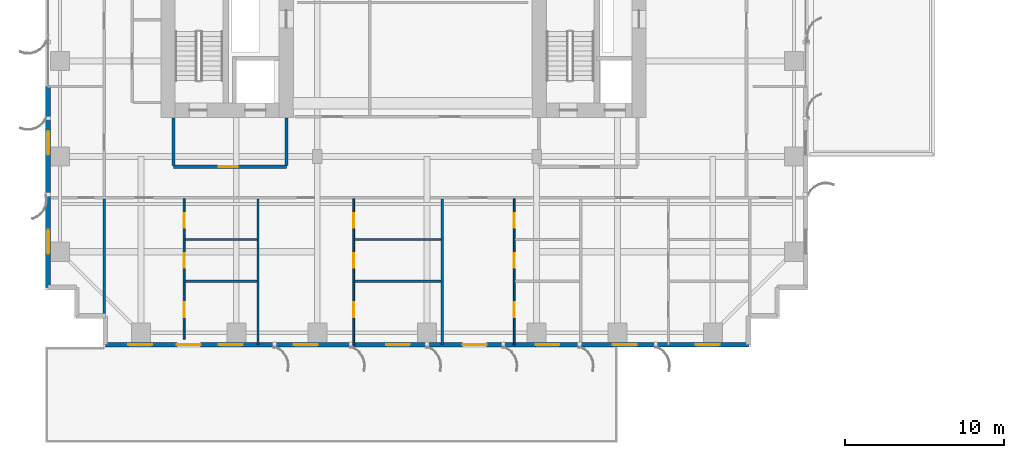
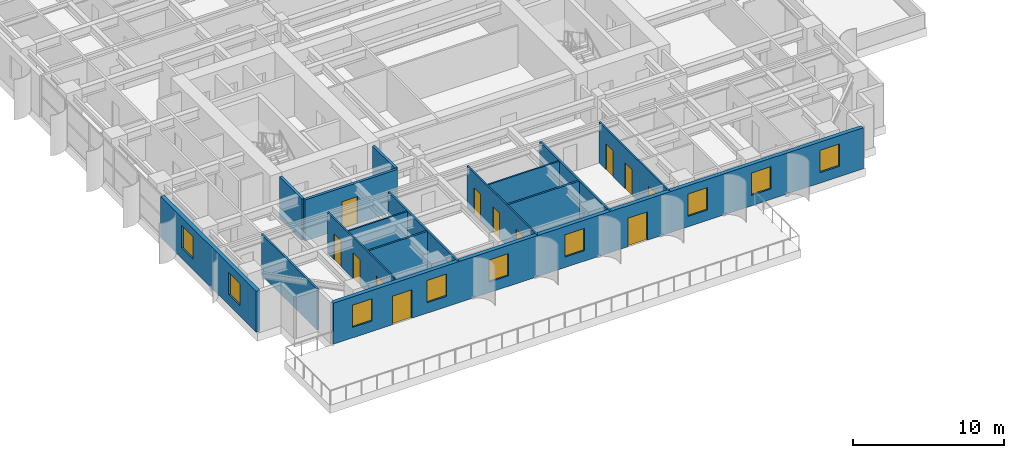
# One storey, part 11 of 21: 15 walls, 12 doors, 9 windows, 21 openings.
"""IFC4 building model written with IfcOpenShell, lengths in metres."""

from ifc_helpers import new_model, si_unit, direction, frame, frame_2d, origin, place, context, subcontext, project, spatial, rectangle, extrude, source, transform, mapped, material, layer, layer_set, type_object, element, fill, save


model = new_model("IFC4")

# Units and contexts
model_context = context("Model", 3, precision=1e-05, world=origin(), true_north=direction((0.0, 1.0)))
body_context = subcontext(model_context, "Body", "Model", "MODEL_VIEW")
ifc_project = project(units=[si_unit("LENGTHUNIT", "METRE"), si_unit("AREAUNIT", "SQUARE_METRE"), si_unit("VOLUMEUNIT", "CUBIC_METRE"), si_unit("PLANEANGLEUNIT", "RADIAN"), si_unit("MASSUNIT", "GRAM", prefix="KILO")], contexts=[model_context])

# Site, building, storey
site_placement = place(None, origin())
site = spatial("IfcSite", under=ifc_project, at=site_placement, CompositionType="ELEMENT")
building_placement = place(site_placement, origin())
building = spatial("IfcBuilding", under=site, at=building_placement, Name="Khoralis Quay Care Tower", CompositionType="ELEMENT")
storey_placement = place(building_placement, frame((0.0, 0.0, 22.5)))
storey = spatial("IfcBuildingStorey", under=building, at=storey_placement, Name="L05", CompositionType="ELEMENT", Elevation=22.5)

# Wall, opening, door
ifc_material_1 = material(Name="Gypsum plasterboard on acoustic metal stud")
ifc_layer_1 = layer(ifc_material_1, 0.199951171875)
ifc_layer_set_1 = layer_set([ifc_layer_1], Name="Gypsum plasterboard on acoustic metal stud")
wall_type_1 = type_object("IfcWallType", Name="WL-COMP-200", PredefinedType="PARTITIONING", material=ifc_layer_set_1)
wall_1_placement = place(storey_placement, frame((8.050048828125, 11.35009765625, 0.0), z_axis=(0.0, 0.0, 1.0), x_axis=(1.0, 0.0, 0.0)))
wall_1 = element("IfcWall", 1, at=wall_1_placement, inside=storey, type_object=wall_type_1, Name="L05 West Firefighting Lobby South Wall", PredefinedType="PARTITIONING", context=body_context, shape_type="SweptSolid", body=[
    extrude(rectangle(XDim=7.099853515625, YDim=0.199951171875, at=frame_2d((3.5498046875, 0.0))), origin(), (0.0, 0.0, 1.0), 3.320068359375),
])
opening_1_placement = place(wall_1_placement, frame((2.846435546875, 0.0, 0.0)))
opening_1 = element("IfcOpeningElement", 2, at=opening_1_placement, cuts=wall_1, Name="Opening FD1", PredefinedType="OPENING", context=body_context, shape_type="SweptSolid", body=[
    extrude(rectangle(XDim=1.199951171875, YDim=2.199951171875, at=frame_2d((0.60009765625, 1.10009765625))), frame((0.0, 0.10986328125, 0.0), z_axis=(0.0, -1.0, 0.0), x_axis=(1.0, 0.0, 0.0)), (0.0, 0.0, 1.0), 0.219970703125),
])
ifc_material_2 = material(Name="Fire-rated painted steel", Category="steel")
door_type_1 = type_object("IfcDoorType", Name="DR-FFL-1200X2200", OperationType="NOTDEFINED", PredefinedType="DOOR", material=ifc_material_2)
shared_shape_1 = source(origin(), body_context, "Body", "SweptSolid", [
    extrude(rectangle(XDim=1.199951171875, YDim=2.199951171875, at=frame_2d((0.60009765625, 1.10009765625))), frame((0.0, 0.02490234375, 0.0), z_axis=(0.0, -1.0, 0.0), x_axis=(1.0, 0.0, 0.0)), (0.0, 0.0, 1.0), 0.050048828125),
])
door_1_placement = place(opening_1_placement, origin())
door_1 = element("IfcDoor", 3, at=door_1_placement, inside=storey, type_object=door_type_1, Name="L05 West Firefighting Lobby Fire Door", OperationType="SINGLE_SWING_LEFT", OverallHeight=2.199951171875, OverallWidth=1.199951171875, PredefinedType="DOOR", context=body_context, shape_type="MappedRepresentation", body=[
    mapped(shared_shape_1, transform((0.0, 0.0, 0.0), scale=1.0)),
])
fill(opening_1, door_1)

# Walls
for number, where, z_axis, x_axis, name in (
    (4, (8.050048828125, 11.445068359375, 0.0), (0.0, 0.0, 1.0), (0.0, 1.0, 0.0), "L05 West Firefighting Lobby West Wall"),
    (5, (15.14990234375, 11.445068359375, 0.0), (0.0, 0.0, 1.0), (0.0, 1.0, 0.0), "L05 West Firefighting Lobby East Wall"),
):
    element("IfcWall", number, at=place(storey_placement, frame(where, z_axis=z_axis, x_axis=x_axis)), inside=storey, type_object=wall_type_1, Name=name, PredefinedType="PARTITIONING", context=body_context, shape_type="SweptSolid", body=[
        extrude(rectangle(XDim=2.98486328125, YDim=0.199951171875, at=frame_2d((1.492431640625, 0.0))), origin(), (0.0, 0.0, 1.0), 3.320068359375),
    ])

# Wall, openings, doors, windows
ifc_material_3 = material(Name="Precast concrete C45/55", Category="concrete")
ifc_layer_2 = layer(ifc_material_3, 0.300048828125)
ifc_layer_set_2 = layer_set([ifc_layer_2], Name="Precast concrete C45/55")
wall_type_2 = type_object("IfcWallType", Name="WL-EXT-REF-300", PredefinedType="SOLIDWALL", material=ifc_layer_set_2)
wall_2_placement = place(storey_placement, frame((3.75, 0.14990234375, 0.0), z_axis=(0.0, 0.0, 1.0), x_axis=(1.0, 0.0, 0.0)))
wall_2 = element("IfcWall", 6, at=wall_2_placement, inside=storey, type_object=wall_type_2, Name="L05 External Facade Wall WL-EXT-L05-P1-E0", PredefinedType="SOLIDWALL", context=body_context, shape_type="SweptSolid", body=[
    extrude(rectangle(XDim=40.5, YDim=0.300048828125, at=frame_2d((20.25, 0.0))), origin(), (0.0, 0.0, 1.0), 3.320068359375),
])
opening_2_placement = place(wall_2_placement, frame((1.455078125, 0.0, 0.85009765625)))
opening_2 = element("IfcOpeningElement", 7, at=opening_2_placement, cuts=wall_2, Name="Opening W3", PredefinedType="OPENING", context=body_context, shape_type="SweptSolid", body=[
    extrude(rectangle(XDim=1.5, YDim=1.800048828125, at=frame_2d((0.75, 0.89990234375))), frame((0.0, 0.16015625, 0.0), z_axis=(0.0, -1.0, 0.0), x_axis=(1.0, 0.0, 0.0)), (0.0, 0.0, 1.0), 0.320068359375),
])
opening_3_placement = place(wall_2_placement, frame((7.14990234375, 0.0, 0.85009765625)))
opening_3 = element("IfcOpeningElement", 8, at=opening_3_placement, cuts=wall_2, Name="Opening W3", PredefinedType="OPENING", context=body_context, shape_type="SweptSolid", body=[
    extrude(rectangle(XDim=1.5, YDim=1.800048828125, at=frame_2d((0.75, 0.89990234375))), frame((0.0, 0.16015625, 0.0), z_axis=(0.0, -1.0, 0.0), x_axis=(1.0, 0.0, 0.0)), (0.0, 0.0, 1.0), 0.320068359375),
])
opening_4_placement = place(wall_2_placement, frame((11.8759765625, 0.0, 0.85009765625)))
opening_4 = element("IfcOpeningElement", 9, at=opening_4_placement, cuts=wall_2, Name="Opening W3", PredefinedType="OPENING", context=body_context, shape_type="SweptSolid", body=[
    extrude(rectangle(XDim=1.5, YDim=1.800048828125, at=frame_2d((0.75, 0.89990234375))), frame((0.0, 0.16015625, 0.0), z_axis=(0.0, -1.0, 0.0), x_axis=(1.0, 0.0, 0.0)), (0.0, 0.0, 1.0), 0.320068359375),
])
opening_5_placement = place(wall_2_placement, frame((17.676025390625, 0.0, 0.85009765625)))
opening_5 = element("IfcOpeningElement", 10, at=opening_5_placement, cuts=wall_2, Name="Opening W3", PredefinedType="OPENING", context=body_context, shape_type="SweptSolid", body=[
    extrude(rectangle(XDim=1.5, YDim=1.800048828125, at=frame_2d((0.75, 0.89990234375))), frame((0.0, 0.16015625, 0.0), z_axis=(0.0, -1.0, 0.0), x_axis=(1.0, 0.0, 0.0)), (0.0, 0.0, 1.0), 0.320068359375),
])
opening_6_placement = place(wall_2_placement, frame((27.0869140625, 0.0, 0.85009765625)))
opening_6 = element("IfcOpeningElement", 11, at=opening_6_placement, cuts=wall_2, Name="Opening W3", PredefinedType="OPENING", context=body_context, shape_type="SweptSolid", body=[
    extrude(rectangle(XDim=1.5, YDim=1.800048828125, at=frame_2d((0.75, 0.89990234375))), frame((0.0, 0.16015625, 0.0), z_axis=(0.0, -1.0, 0.0), x_axis=(1.0, 0.0, 0.0)), (0.0, 0.0, 1.0), 0.320068359375),
])
opening_7_placement = place(wall_2_placement, frame((31.946533203125, 0.0, 0.85009765625)))
opening_7 = element("IfcOpeningElement", 12, at=opening_7_placement, cuts=wall_2, Name="Opening W3", PredefinedType="OPENING", context=body_context, shape_type="SweptSolid", body=[
    extrude(rectangle(XDim=1.5, YDim=1.800048828125, at=frame_2d((0.75, 0.89990234375))), frame((0.0, 0.16015625, 0.0), z_axis=(0.0, -1.0, 0.0), x_axis=(1.0, 0.0, 0.0)), (0.0, 0.0, 1.0), 0.320068359375),
])
opening_8_placement = place(wall_2_placement, frame((37.181396484375, 0.0, 0.85009765625)))
opening_8 = element("IfcOpeningElement", 13, at=opening_8_placement, cuts=wall_2, Name="Opening W3", PredefinedType="OPENING", context=body_context, shape_type="SweptSolid", body=[
    extrude(rectangle(XDim=1.5, YDim=1.800048828125, at=frame_2d((0.75, 0.89990234375))), frame((0.0, 0.16015625, 0.0), z_axis=(0.0, -1.0, 0.0), x_axis=(1.0, 0.0, 0.0)), (0.0, 0.0, 1.0), 0.320068359375),
])
opening_9_placement = place(wall_2_placement, frame((4.5, 0.0, 0.0)))
opening_9 = element("IfcOpeningElement", 14, at=opening_9_placement, cuts=wall_2, Name="Opening TD1", PredefinedType="OPENING", context=body_context, shape_type="SweptSolid", body=[
    extrude(rectangle(XDim=1.5, YDim=2.300048828125, at=frame_2d((0.75, 1.14990234375))), frame((0.0, 0.16015625, 0.0), z_axis=(0.0, -1.0, 0.0), x_axis=(1.0, 0.0, 0.0)), (0.0, 0.0, 1.0), 0.320068359375),
])
opening_10_placement = place(wall_2_placement, frame((22.5, 0.0, 0.0)))
opening_10 = element("IfcOpeningElement", 15, at=opening_10_placement, cuts=wall_2, Name="Opening TD1", PredefinedType="OPENING", context=body_context, shape_type="SweptSolid", body=[
    extrude(rectangle(XDim=1.5, YDim=2.300048828125, at=frame_2d((0.75, 1.14990234375))), frame((0.0, 0.16015625, 0.0), z_axis=(0.0, -1.0, 0.0), x_axis=(1.0, 0.0, 0.0)), (0.0, 0.0, 1.0), 0.320068359375),
])
ifc_material_4 = material(Name="Anodised aluminium and laminated safety glass", Category="aluminium")
door_type_2 = type_object("IfcDoorType", Name="DR-EXT-TERR-1500X2300", OperationType="NOTDEFINED", PredefinedType="DOOR", material=ifc_material_4)
shared_shape_2 = source(origin(), body_context, "Body", "SweptSolid", [
    extrude(rectangle(XDim=1.5, YDim=2.300048828125, at=frame_2d((0.75, 1.14990234375))), frame((0.0, 0.02490234375, 0.0), z_axis=(0.0, -1.0, 0.0), x_axis=(1.0, 0.0, 0.0)), (0.0, 0.0, 1.0), 0.050048828125),
])
door_2_placement = place(opening_9_placement, frame((1.5, 0.0, 0.0), z_axis=(0.0, 0.0, 1.0), x_axis=(-1.0, 0.0, 0.0)))
door_2 = element("IfcDoor", 16, at=door_2_placement, inside=storey, type_object=door_type_2, Name="L05 Waterfront Podium Terrace Door 1", OperationType="DOUBLE_DOOR_SINGLE_SWING", OverallHeight=2.300048828125, OverallWidth=1.5, PredefinedType="DOOR", context=body_context, shape_type="MappedRepresentation", body=[
    mapped(shared_shape_2, transform((0.0, 0.0, 0.0), scale=1.0)),
])
fill(opening_9, door_2)
door_3_placement = place(opening_10_placement, frame((1.5, 0.0, 0.0), z_axis=(0.0, 0.0, 1.0), x_axis=(-1.0, 0.0, 0.0)))
door_3 = element("IfcDoor", 17, at=door_3_placement, inside=storey, type_object=door_type_2, Name="L05 Waterfront Podium Terrace Door 2", OperationType="DOUBLE_DOOR_SINGLE_SWING", OverallHeight=2.300048828125, OverallWidth=1.5, PredefinedType="DOOR", context=body_context, shape_type="MappedRepresentation", body=[
    mapped(shared_shape_2, transform((0.0, 0.0, 0.0), scale=1.0)),
])
fill(opening_10, door_3)
ifc_material_5 = material(Name="Low-E solar-control double glazing", Category="glass")
window_type = type_object("IfcWindowType", Name="WN-CLIN-1500X1800", PartitioningType="SINGLE_PANEL", PredefinedType="WINDOW", material=ifc_material_5)
shared_shape_3 = source(origin(), body_context, "Body", "SweptSolid", [
    extrude(rectangle(XDim=1.5, YDim=1.800048828125, at=frame_2d((0.75, 0.89990234375))), frame((0.0, 0.030029296875, 0.0), z_axis=(0.0, -1.0, 0.0), x_axis=(1.0, 0.0, 0.0)), (0.0, 0.0, 1.0), 0.06005859375),
])
window_1_placement = place(opening_2_placement, origin())
window_1 = element("IfcWindow", 18, at=window_1_placement, inside=storey, type_object=window_type, Name="WN-L05-P1-E0 Facade Window 01", OverallHeight=1.800048828125, OverallWidth=1.5, PartitioningType="SINGLE_PANEL", PredefinedType="WINDOW", context=body_context, shape_type="MappedRepresentation", body=[
    mapped(shared_shape_3, transform((0.0, 0.0, 0.0), scale=1.0)),
])
fill(opening_2, window_1)
window_2_placement = place(opening_3_placement, origin())
window_2 = element("IfcWindow", 19, at=window_2_placement, inside=storey, type_object=window_type, Name="WN-L05-P1-E0 Facade Window 02", OverallHeight=1.800048828125, OverallWidth=1.5, PartitioningType="SINGLE_PANEL", PredefinedType="WINDOW", context=body_context, shape_type="MappedRepresentation", body=[
    mapped(shared_shape_3, transform((0.0, 0.0, 0.0), scale=1.0)),
])
fill(opening_3, window_2)
window_3_placement = place(opening_4_placement, origin())
window_3 = element("IfcWindow", 20, at=window_3_placement, inside=storey, type_object=window_type, Name="WN-L05-P1-E0 Facade Window 03", OverallHeight=1.800048828125, OverallWidth=1.5, PartitioningType="SINGLE_PANEL", PredefinedType="WINDOW", context=body_context, shape_type="MappedRepresentation", body=[
    mapped(shared_shape_3, transform((0.0, 0.0, 0.0), scale=1.0)),
])
fill(opening_4, window_3)
window_4_placement = place(opening_5_placement, origin())
window_4 = element("IfcWindow", 21, at=window_4_placement, inside=storey, type_object=window_type, Name="WN-L05-P1-E0 Facade Window 04", OverallHeight=1.800048828125, OverallWidth=1.5, PartitioningType="SINGLE_PANEL", PredefinedType="WINDOW", context=body_context, shape_type="MappedRepresentation", body=[
    mapped(shared_shape_3, transform((0.0, 0.0, 0.0), scale=1.0)),
])
fill(opening_5, window_4)
window_5_placement = place(opening_6_placement, origin())
window_5 = element("IfcWindow", 22, at=window_5_placement, inside=storey, type_object=window_type, Name="WN-L05-P1-E0 Facade Window 05", OverallHeight=1.800048828125, OverallWidth=1.5, PartitioningType="SINGLE_PANEL", PredefinedType="WINDOW", context=body_context, shape_type="MappedRepresentation", body=[
    mapped(shared_shape_3, transform((0.0, 0.0, 0.0), scale=1.0)),
])
fill(opening_6, window_5)
window_6_placement = place(opening_7_placement, origin())
window_6 = element("IfcWindow", 23, at=window_6_placement, inside=storey, type_object=window_type, Name="WN-L05-P1-E0 Facade Window 06", OverallHeight=1.800048828125, OverallWidth=1.5, PartitioningType="SINGLE_PANEL", PredefinedType="WINDOW", context=body_context, shape_type="MappedRepresentation", body=[
    mapped(shared_shape_3, transform((0.0, 0.0, 0.0), scale=1.0)),
])
fill(opening_7, window_6)
window_7_placement = place(opening_8_placement, origin())
window_7 = element("IfcWindow", 24, at=window_7_placement, inside=storey, type_object=window_type, Name="WN-L05-P1-E0 Facade Window 07", OverallHeight=1.800048828125, OverallWidth=1.5, PartitioningType="SINGLE_PANEL", PredefinedType="WINDOW", context=body_context, shape_type="MappedRepresentation", body=[
    mapped(shared_shape_3, transform((0.0, 0.0, 0.0), scale=1.0)),
])
fill(opening_8, window_7)

# Wall, openings, windows
wall_3_placement = place(storey_placement, frame((0.14990234375, 16.39990234375, 0.0), z_axis=(0.0, 0.0, 1.0), x_axis=(0.0, -1.0, 0.0)))
wall_3 = element("IfcWall", 25, at=wall_3_placement, inside=storey, type_object=wall_type_2, Name="L05 External Facade Wall WL-EXT-L05-P1-E15B", PredefinedType="SOLIDWALL", context=body_context, shape_type="SweptSolid", body=[
    extrude(rectangle(XDim=12.64990234375, YDim=0.300048828125, at=frame_2d((6.324951171875, 0.0))), origin(), (0.0, 0.0, 1.0), 3.320068359375),
])
opening_11_placement = place(wall_3_placement, frame((2.800048828125, 0.0, 0.85009765625)))
opening_11 = element("IfcOpeningElement", 26, at=opening_11_placement, cuts=wall_3, Name="Opening W3", PredefinedType="OPENING", context=body_context, shape_type="SweptSolid", body=[
    extrude(rectangle(XDim=1.5, YDim=1.800048828125, at=frame_2d((0.75, 0.89990234375))), frame((0.0, 0.16015625, 0.0), z_axis=(0.0, -1.0, 0.0), x_axis=(1.0, 0.0, 0.0)), (0.0, 0.0, 1.0), 0.320068359375),
])
opening_12_placement = place(wall_3_placement, frame((9.02490234375, 0.0, 0.85009765625)))
opening_12 = element("IfcOpeningElement", 27, at=opening_12_placement, cuts=wall_3, Name="Opening W3", PredefinedType="OPENING", context=body_context, shape_type="SweptSolid", body=[
    extrude(rectangle(XDim=1.5, YDim=1.800048828125, at=frame_2d((0.75, 0.89990234375))), frame((0.0, 0.16015625, 0.0), z_axis=(0.0, -1.0, 0.0), x_axis=(1.0, 0.0, 0.0)), (0.0, 0.0, 1.0), 0.320068359375),
])
window_8_placement = place(opening_11_placement, origin())
window_8 = element("IfcWindow", 28, at=window_8_placement, inside=storey, type_object=window_type, Name="WN-L05-P1-E15B Facade Window 01", OverallHeight=1.800048828125, OverallWidth=1.5, PartitioningType="SINGLE_PANEL", PredefinedType="WINDOW", context=body_context, shape_type="MappedRepresentation", body=[
    mapped(shared_shape_3, transform((0.0, 0.0, 0.0), scale=1.0)),
])
fill(opening_11, window_8)
window_9_placement = place(opening_12_placement, origin())
window_9 = element("IfcWindow", 29, at=window_9_placement, inside=storey, type_object=window_type, Name="WN-L05-P1-E15B Facade Window 02", OverallHeight=1.800048828125, OverallWidth=1.5, PartitioningType="SINGLE_PANEL", PredefinedType="WINDOW", context=body_context, shape_type="MappedRepresentation", body=[
    mapped(shared_shape_3, transform((0.0, 0.0, 0.0), scale=1.0)),
])
fill(opening_12, window_9)

# Wall, openings, doors
ifc_layer_3 = layer(ifc_material_1, 0.114990234375)
ifc_layer_set_3 = layer_set([ifc_layer_3], Name="Gypsum plasterboard on acoustic metal stud")
wall_type_3 = type_object("IfcWallType", Name="WL-PART-115", PredefinedType="PARTITIONING", material=ifc_layer_set_3)
wall_4_placement = place(storey_placement, frame((8.714111328125, 0.5, 0.0), z_axis=(0.0, 0.0, 1.0), x_axis=(0.0, 1.0, 0.0)))
wall_4 = element("IfcWall", 30, at=wall_4_placement, inside=storey, type_object=wall_type_3, Name="L05 Unit 0 Internal Wall", PredefinedType="PARTITIONING", context=body_context, shape_type="SweptSolid", body=[
    extrude(rectangle(XDim=8.822509765625, YDim=0.114990234375, at=frame_2d((4.4111328125, 0.0))), origin(), (0.0, 0.0, 1.0), 3.320068359375),
])
opening_13_placement = place(wall_4_placement, frame((1.367919921875, 0.0, 0.0)))
opening_13 = element("IfcOpeningElement", 31, at=opening_13_placement, cuts=wall_4, Name="Opening ID1", PredefinedType="OPENING", context=body_context, shape_type="SweptSolid", body=[
    extrude(rectangle(XDim=0.949951171875, YDim=2.10009765625, at=frame_2d((0.47509765625, 1.050048828125))), frame((0.0, 0.0673828125, 0.0), z_axis=(0.0, -1.0, 0.0), x_axis=(1.0, 0.0, 0.0)), (0.0, 0.0, 1.0), 0.135009765625),
])
opening_14_placement = place(wall_4_placement, frame((4.501953125, 0.0, 0.0)))
opening_14 = element("IfcOpeningElement", 32, at=opening_14_placement, cuts=wall_4, Name="Opening WD1", PredefinedType="OPENING", context=body_context, shape_type="SweptSolid", body=[
    extrude(rectangle(XDim=0.89990234375, YDim=2.10009765625, at=frame_2d((0.449951171875, 1.050048828125))), frame((0.0, 0.0673828125, 0.0), z_axis=(0.0, -1.0, 0.0), x_axis=(1.0, 0.0, 0.0)), (0.0, 0.0, 1.0), 0.135009765625),
])
opening_15_placement = place(wall_4_placement, frame((7.01904296875, 0.0, 0.0)))
opening_15 = element("IfcOpeningElement", 33, at=opening_15_placement, cuts=wall_4, Name="Opening WD1", PredefinedType="OPENING", context=body_context, shape_type="SweptSolid", body=[
    extrude(rectangle(XDim=0.89990234375, YDim=2.10009765625, at=frame_2d((0.449951171875, 1.050048828125))), frame((0.0, 0.0673828125, 0.0), z_axis=(0.0, -1.0, 0.0), x_axis=(1.0, 0.0, 0.0)), (0.0, 0.0, 1.0), 0.135009765625),
])
ifc_material_6 = material(Name="Acoustic hardwood timber", Category="wood")
door_type_3 = type_object("IfcDoorType", Name="DR-BATH-900X2100", OperationType="NOTDEFINED", PredefinedType="DOOR", material=ifc_material_6)
shared_shape_4 = source(origin(), body_context, "Body", "SweptSolid", [
    extrude(rectangle(XDim=0.89990234375, YDim=2.10009765625, at=frame_2d((0.449951171875, 1.050048828125))), frame((0.0, 0.02490234375, 0.0), z_axis=(0.0, -1.0, 0.0), x_axis=(1.0, 0.0, 0.0)), (0.0, 0.0, 1.0), 0.050048828125),
])
door_4_placement = place(opening_14_placement, frame((0.89990234375, 0.0, 0.0), z_axis=(0.0, 0.0, 1.0), x_axis=(-1.0, 0.0, 0.0)))
door_4 = element("IfcDoor", 34, at=door_4_placement, inside=storey, type_object=door_type_3, Name="L05 Apartment SB0 KIT Door", OperationType="SINGLE_SWING_LEFT", OverallHeight=2.10009765625, OverallWidth=0.89990234375, PredefinedType="DOOR", context=body_context, shape_type="MappedRepresentation", body=[
    mapped(shared_shape_4, transform((0.0, 0.0, 0.0), scale=1.0)),
])
fill(opening_14, door_4)
door_5_placement = place(opening_15_placement, frame((0.89990234375, 0.0, 0.0), z_axis=(0.0, 0.0, 1.0), x_axis=(-1.0, 0.0, 0.0)))
door_5 = element("IfcDoor", 35, at=door_5_placement, inside=storey, type_object=door_type_3, Name="L05 Apartment SB0 BTH Door", OperationType="SINGLE_SWING_RIGHT", OverallHeight=2.10009765625, OverallWidth=0.89990234375, PredefinedType="DOOR", context=body_context, shape_type="MappedRepresentation", body=[
    mapped(shared_shape_4, transform((0.0, 0.0, 0.0), scale=1.0)),
])
fill(opening_15, door_5)
door_type_4 = type_object("IfcDoorType", Name="DR-ROOM-950X2100", OperationType="NOTDEFINED", PredefinedType="DOOR", material=ifc_material_6)
shared_shape_5 = source(origin(), body_context, "Body", "SweptSolid", [
    extrude(rectangle(XDim=0.949951171875, YDim=2.10009765625, at=frame_2d((0.47509765625, 1.050048828125))), frame((0.0, 0.02490234375, 0.0), z_axis=(0.0, -1.0, 0.0), x_axis=(1.0, 0.0, 0.0)), (0.0, 0.0, 1.0), 0.050048828125),
])
door_6_placement = place(opening_13_placement, frame((0.949951171875, 0.0, 0.0), z_axis=(0.0, 0.0, 1.0), x_axis=(-1.0, 0.0, 0.0)))
door_6 = element("IfcDoor", 36, at=door_6_placement, inside=storey, type_object=door_type_4, Name="L05 Apartment SB0 BED Door", OperationType="SINGLE_SWING_RIGHT", OverallHeight=2.10009765625, OverallWidth=0.949951171875, PredefinedType="DOOR", context=body_context, shape_type="MappedRepresentation", body=[
    mapped(shared_shape_5, transform((0.0, 0.0, 0.0), scale=1.0)),
])
fill(opening_13, door_6)

# Wall
wall_5_placement = place(storey_placement, frame((8.7666015625, 6.76806640625, 0.0), z_axis=(0.0, 0.0, 1.0), x_axis=(1.0, 0.0, 0.0)))
element("IfcWall", 37, at=wall_5_placement, inside=storey, type_object=wall_type_3, Name="L05 Unit 0 Kitchen Wall", PredefinedType="PARTITIONING", context=body_context, shape_type="SweptSolid", body=[
    extrude(rectangle(XDim=4.5283203125, YDim=0.114990234375, at=frame_2d((2.26416015625, 0.0))), origin(), (0.0, 0.0, 1.0), 3.320068359375),
])

# Wall, openings, doors
wall_6_placement = place(storey_placement, frame((19.39208984375, 0.14501953125, 0.0), z_axis=(0.0, 0.0, 1.0), x_axis=(0.0, 1.0, 0.0)))
wall_6 = element("IfcWall", 38, at=wall_6_placement, inside=storey, type_object=wall_type_3, Name="L05 Unit 1 Internal Wall", PredefinedType="PARTITIONING", context=body_context, shape_type="SweptSolid", body=[
    extrude(rectangle(XDim=9.177490234375, YDim=0.114990234375, at=frame_2d((4.5888671875, 0.0))), origin(), (0.0, 0.0, 1.0), 3.320068359375),
])
opening_16_placement = place(wall_6_placement, frame((1.722900390625, 0.0, 0.0)))
opening_16 = element("IfcOpeningElement", 39, at=opening_16_placement, cuts=wall_6, Name="Opening ID1", PredefinedType="OPENING", context=body_context, shape_type="SweptSolid", body=[
    extrude(rectangle(XDim=0.949951171875, YDim=2.10009765625, at=frame_2d((0.47509765625, 1.050048828125))), frame((0.0, 0.0673828125, 0.0), z_axis=(0.0, -1.0, 0.0), x_axis=(1.0, 0.0, 0.0)), (0.0, 0.0, 1.0), 0.135009765625),
])
opening_17_placement = place(wall_6_placement, frame((4.85693359375, 0.0, 0.0)))
opening_17 = element("IfcOpeningElement", 40, at=opening_17_placement, cuts=wall_6, Name="Opening WD1", PredefinedType="OPENING", context=body_context, shape_type="SweptSolid", body=[
    extrude(rectangle(XDim=0.89990234375, YDim=2.10009765625, at=frame_2d((0.449951171875, 1.050048828125))), frame((0.0, 0.0673828125, 0.0), z_axis=(0.0, -1.0, 0.0), x_axis=(1.0, 0.0, 0.0)), (0.0, 0.0, 1.0), 0.135009765625),
])
opening_18_placement = place(wall_6_placement, frame((7.3740234375, 0.0, 0.0)))
opening_18 = element("IfcOpeningElement", 41, at=opening_18_placement, cuts=wall_6, Name="Opening WD1", PredefinedType="OPENING", context=body_context, shape_type="SweptSolid", body=[
    extrude(rectangle(XDim=0.89990234375, YDim=2.10009765625, at=frame_2d((0.449951171875, 1.050048828125))), frame((0.0, 0.0673828125, 0.0), z_axis=(0.0, -1.0, 0.0), x_axis=(1.0, 0.0, 0.0)), (0.0, 0.0, 1.0), 0.135009765625),
])
door_7_placement = place(opening_17_placement, frame((0.89990234375, 0.0, 0.0), z_axis=(0.0, 0.0, 1.0), x_axis=(-1.0, 0.0, 0.0)))
door_7 = element("IfcDoor", 42, at=door_7_placement, inside=storey, type_object=door_type_3, Name="L05 Apartment SB1 KIT Door", OperationType="SINGLE_SWING_RIGHT", OverallHeight=2.10009765625, OverallWidth=0.89990234375, PredefinedType="DOOR", context=body_context, shape_type="MappedRepresentation", body=[
    mapped(shared_shape_4, transform((0.0, 0.0, 0.0), scale=1.0)),
])
fill(opening_17, door_7)
door_8_placement = place(opening_18_placement, frame((0.89990234375, 0.0, 0.0), z_axis=(0.0, 0.0, 1.0), x_axis=(-1.0, 0.0, 0.0)))
door_8 = element("IfcDoor", 43, at=door_8_placement, inside=storey, type_object=door_type_3, Name="L05 Apartment SB1 BTH Door", OperationType="SINGLE_SWING_LEFT", OverallHeight=2.10009765625, OverallWidth=0.89990234375, PredefinedType="DOOR", context=body_context, shape_type="MappedRepresentation", body=[
    mapped(shared_shape_4, transform((0.0, 0.0, 0.0), scale=1.0)),
])
fill(opening_18, door_8)
door_9_placement = place(opening_16_placement, frame((0.949951171875, 0.0, 0.0), z_axis=(0.0, 0.0, 1.0), x_axis=(-1.0, 0.0, 0.0)))
door_9 = element("IfcDoor", 44, at=door_9_placement, inside=storey, type_object=door_type_4, Name="L05 Apartment SB1 BED Door", OperationType="SINGLE_SWING_LEFT", OverallHeight=2.10009765625, OverallWidth=0.949951171875, PredefinedType="DOOR", context=body_context, shape_type="MappedRepresentation", body=[
    mapped(shared_shape_5, transform((0.0, 0.0, 0.0), scale=1.0)),
])
fill(opening_16, door_9)

# Wall
wall_7_placement = place(storey_placement, frame((19.444580078125, 6.76806640625, 0.0), z_axis=(0.0, 0.0, 1.0), x_axis=(1.0, 0.0, 0.0)))
element("IfcWall", 45, at=wall_7_placement, inside=storey, type_object=wall_type_3, Name="L05 Unit 1 Kitchen Wall", PredefinedType="PARTITIONING", context=body_context, shape_type="SweptSolid", body=[
    extrude(rectangle(XDim=5.450439453125, YDim=0.114990234375, at=frame_2d((2.72509765625, 0.0))), origin(), (0.0, 0.0, 1.0), 3.320068359375),
])

# Wall, openings, doors
wall_8_placement = place(storey_placement, frame((29.493896484375, 0.14501953125, 0.0), z_axis=(0.0, 0.0, 1.0), x_axis=(0.0, 1.0, 0.0)))
wall_8 = element("IfcWall", 46, at=wall_8_placement, inside=storey, type_object=wall_type_3, Name="L05 Unit 2 Internal Wall", PredefinedType="PARTITIONING", context=body_context, shape_type="SweptSolid", body=[
    extrude(rectangle(XDim=9.177490234375, YDim=0.114990234375, at=frame_2d((4.5888671875, 0.0))), origin(), (0.0, 0.0, 1.0), 3.320068359375),
])
opening_19_placement = place(wall_8_placement, frame((1.722900390625, 0.0, 0.0)))
opening_19 = element("IfcOpeningElement", 47, at=opening_19_placement, cuts=wall_8, Name="Opening ID1", PredefinedType="OPENING", context=body_context, shape_type="SweptSolid", body=[
    extrude(rectangle(XDim=0.949951171875, YDim=2.10009765625, at=frame_2d((0.47509765625, 1.050048828125))), frame((0.0, 0.0673828125, 0.0), z_axis=(0.0, -1.0, 0.0), x_axis=(1.0, 0.0, 0.0)), (0.0, 0.0, 1.0), 0.135009765625),
])
opening_20_placement = place(wall_8_placement, frame((4.85693359375, 0.0, 0.0)))
opening_20 = element("IfcOpeningElement", 48, at=opening_20_placement, cuts=wall_8, Name="Opening WD1", PredefinedType="OPENING", context=body_context, shape_type="SweptSolid", body=[
    extrude(rectangle(XDim=0.89990234375, YDim=2.10009765625, at=frame_2d((0.449951171875, 1.050048828125))), frame((0.0, 0.0673828125, 0.0), z_axis=(0.0, -1.0, 0.0), x_axis=(1.0, 0.0, 0.0)), (0.0, 0.0, 1.0), 0.135009765625),
])
opening_21_placement = place(wall_8_placement, frame((7.3740234375, 0.0, 0.0)))
opening_21 = element("IfcOpeningElement", 49, at=opening_21_placement, cuts=wall_8, Name="Opening WD1", PredefinedType="OPENING", context=body_context, shape_type="SweptSolid", body=[
    extrude(rectangle(XDim=0.89990234375, YDim=2.10009765625, at=frame_2d((0.449951171875, 1.050048828125))), frame((0.0, 0.0673828125, 0.0), z_axis=(0.0, -1.0, 0.0), x_axis=(1.0, 0.0, 0.0)), (0.0, 0.0, 1.0), 0.135009765625),
])
door_10_placement = place(opening_20_placement, frame((0.89990234375, 0.0, 0.0), z_axis=(0.0, 0.0, 1.0), x_axis=(-1.0, 0.0, 0.0)))
door_10 = element("IfcDoor", 50, at=door_10_placement, inside=storey, type_object=door_type_3, Name="L05 Apartment SB2 KIT Door", OperationType="SINGLE_SWING_LEFT", OverallHeight=2.10009765625, OverallWidth=0.89990234375, PredefinedType="DOOR", context=body_context, shape_type="MappedRepresentation", body=[
    mapped(shared_shape_4, transform((0.0, 0.0, 0.0), scale=1.0)),
])
fill(opening_20, door_10)
door_11_placement = place(opening_21_placement, frame((0.89990234375, 0.0, 0.0), z_axis=(0.0, 0.0, 1.0), x_axis=(-1.0, 0.0, 0.0)))
door_11 = element("IfcDoor", 51, at=door_11_placement, inside=storey, type_object=door_type_3, Name="L05 Apartment SB2 BTH Door", OperationType="SINGLE_SWING_RIGHT", OverallHeight=2.10009765625, OverallWidth=0.89990234375, PredefinedType="DOOR", context=body_context, shape_type="MappedRepresentation", body=[
    mapped(shared_shape_4, transform((0.0, 0.0, 0.0), scale=1.0)),
])
fill(opening_21, door_11)
door_12_placement = place(opening_19_placement, frame((0.949951171875, 0.0, 0.0), z_axis=(0.0, 0.0, 1.0), x_axis=(-1.0, 0.0, 0.0)))
door_12 = element("IfcDoor", 52, at=door_12_placement, inside=storey, type_object=door_type_4, Name="L05 Apartment SB2 BED Door", OperationType="SINGLE_SWING_RIGHT", OverallHeight=2.10009765625, OverallWidth=0.949951171875, PredefinedType="DOOR", context=body_context, shape_type="MappedRepresentation", body=[
    mapped(shared_shape_5, transform((0.0, 0.0, 0.0), scale=1.0)),
])
fill(opening_19, door_12)

# Walls
ifc_material_7 = material(Name="Moisture-resistant gypsum and ceramic tile")
ifc_layer_4 = layer(ifc_material_7, 0.280029296875)
ifc_layer_set_4 = layer_set([ifc_layer_4], Name="Moisture-resistant gypsum and ceramic tile")
wall_type_4 = type_object("IfcWallType", Name="WL-PLUMB-280", PredefinedType="PLUMBINGWALL", material=ifc_layer_set_4)
wall_9_placement = place(storey_placement, frame((8.7666015625, 4.135986328125, 0.0), z_axis=(0.0, 0.0, 1.0), x_axis=(1.0, 0.0, 0.0)))
element("IfcWall", 53, at=wall_9_placement, inside=storey, type_object=wall_type_4, Name="L05 Unit 0 Wet Wall", PredefinedType="PLUMBINGWALL", context=body_context, shape_type="SweptSolid", body=[
    extrude(rectangle(XDim=4.5283203125, YDim=0.139892578125, at=frame_2d((2.26416015625, 0.0))), origin(), (0.0, 0.0, 1.0), 3.320068359375),
])
wall_10_placement = place(storey_placement, frame((19.444580078125, 4.135986328125, 0.0), z_axis=(0.0, 0.0, 1.0), x_axis=(1.0, 0.0, 0.0)))
element("IfcWall", 54, at=wall_10_placement, inside=storey, type_object=wall_type_4, Name="L05 Unit 1 Wet Wall", PredefinedType="PLUMBINGWALL", context=body_context, shape_type="SweptSolid", body=[
    extrude(rectangle(XDim=5.450439453125, YDim=0.139892578125, at=frame_2d((2.72509765625, 0.0))), origin(), (0.0, 0.0, 1.0), 3.320068359375),
])
ifc_layer_5 = layer(ifc_material_1, 0.139892578125)
ifc_layer_set_5 = layer_set([ifc_layer_5], Name="Gypsum plasterboard on acoustic metal stud")
wall_type_5 = type_object("IfcWallType", Name="WL-UNIT-140", PredefinedType="PARTITIONING", material=ifc_layer_set_5)
wall_11_placement = place(storey_placement, frame((3.679931640625, 1.945068359375, 0.0), z_axis=(0.0, 0.0, 1.0), x_axis=(0.0, 1.0, 0.0)))
element("IfcWall", 55, at=wall_11_placement, inside=storey, type_object=wall_type_5, Name="L05 SB Demising Wall 0", PredefinedType="PARTITIONING", context=body_context, shape_type="SweptSolid", body=[
    extrude(rectangle(XDim=7.37744140625, YDim=0.139892578125, at=frame_2d((3.688720703125, 0.0))), origin(), (0.0, 0.0, 1.0), 3.320068359375),
])
for number, where, z_axis, x_axis, name in (
    (56, (13.360107421875, 0.14501953125, 0.0), (0.0, 0.0, 1.0), (0.0, 1.0, 0.0), "L05 SB Demising Wall 1"),
    (57, (24.9599609375, 0.14501953125, 0.0), (0.0, 0.0, 1.0), (0.0, 1.0, 0.0), "L05 SB Demising Wall 2"),
):
    element("IfcWall", number, at=place(storey_placement, frame(where, z_axis=z_axis, x_axis=x_axis)), inside=storey, type_object=wall_type_5, Name=name, PredefinedType="PARTITIONING", context=body_context, shape_type="SweptSolid", body=[
        extrude(rectangle(XDim=9.177490234375, YDim=0.139892578125, at=frame_2d((4.5888671875, 0.0))), origin(), (0.0, 0.0, 1.0), 3.320068359375),
    ])

save(model, "model.ifc")
